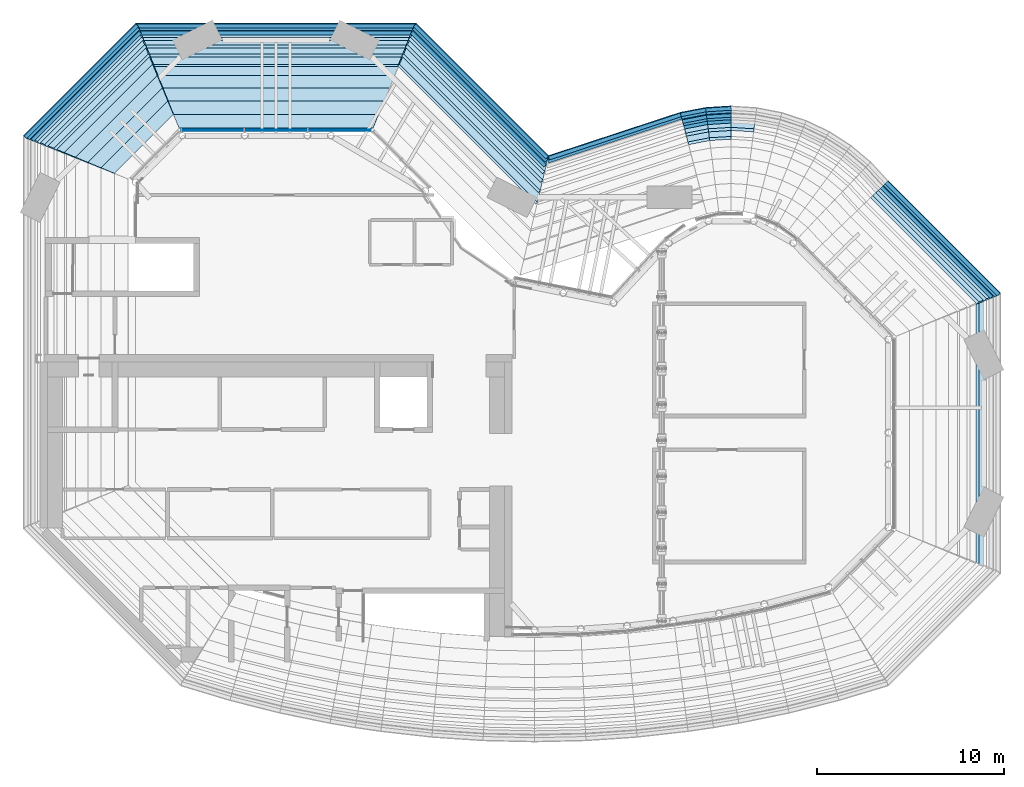
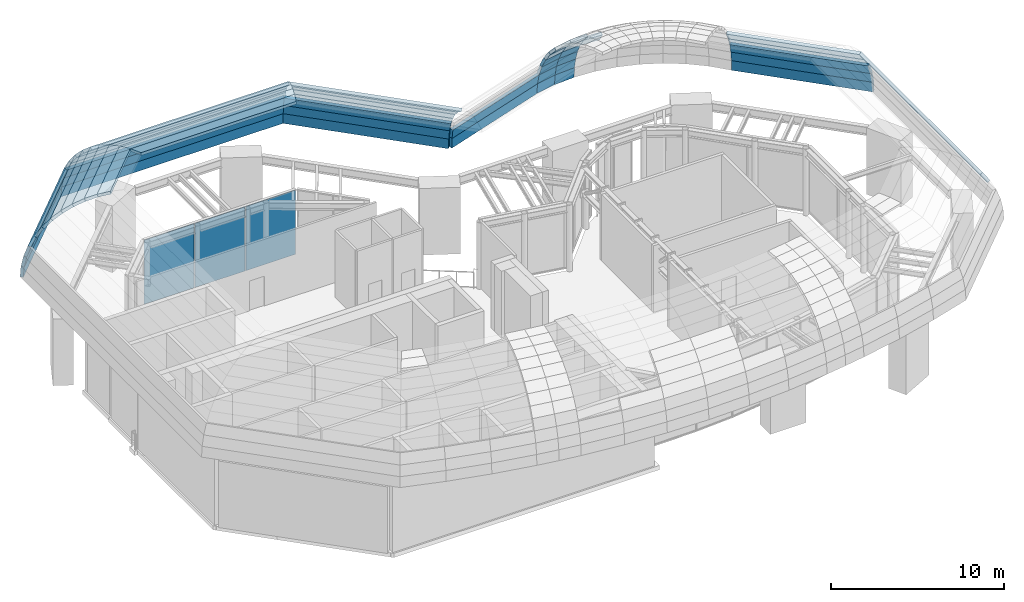
# One storey, part 15 of 20: 54 plates, 1 element without a shape of its own.
"""IFC4 building model written with IfcOpenShell, lengths in metres."""

import ifcopenshell
import ifcopenshell.guid

model = None  # the IFC model being written
_history = None  # IfcOwnerHistory: only IFC2X3 demands one
_inside = {}  # id of a spatial element -> (the spatial element, [elements in it])
_under = {}  # id of a project, library or spatial element -> (it, [spatial elements below it])
_declared = {}  # id of a project -> (the project, [libraries it declares])
_typed = {}  # id of a type object -> (the type object, [elements of that type])
_made_of = {}  # id of a material, layer set ... -> (it, [elements and type objects made of it])


def new_model(schema):
    """Start an empty IFC model of exactly this schema.

    Asked for "IFC4X3", IfcOpenShell would pick the latest addendum, in which some entities
    have other attributes; the version numbers below select the first issue.
    IFC2X3 requires an IfcOwnerHistory on every rooted entity: one is made here for all.
    """
    global model, _history
    if schema == "IFC4X3":
        model = ifcopenshell.file(schema_version=(4, 3, 0, 0))
    else:
        model = ifcopenshell.file(schema=schema)
    _inside.clear()
    _under.clear()
    _declared.clear()
    _typed.clear()
    _made_of.clear()
    _history = None
    if model.schema == "IFC2X3":
        org = make("IfcOrganization", Name="unknown")
        user = make(
            "IfcPersonAndOrganization",
            ThePerson=make("IfcPerson", FamilyName="unknown"),
            TheOrganization=org,
        )
        app = make(
            "IfcApplication",
            ApplicationDeveloper=org,
            Version="unknown",
            ApplicationFullName="unknown",
            ApplicationIdentifier="unknown",
        )
        _history = make(
            "IfcOwnerHistory",
            OwningUser=user,
            OwningApplication=app,
            ChangeAction="ADDED",
            CreationDate=0,
        )
    return model


def make(cls, **values):
    """One entity of the class cls with the attributes given. An attribute that is None is left unset."""
    return model.create_entity(
        cls, **{name: value for name, value in values.items() if value is not None}
    )


def rooted(cls, **values):
    """An entity with a GlobalId (a new one), such as an element, a storey or a relation."""
    return make(cls, GlobalId=ifcopenshell.guid.new(), OwnerHistory=_history, **values)


def si_unit(unit_type, name, prefix=None):
    """IfcSIUnit, for example si_unit("LENGTHUNIT", "METRE", prefix="MILLI")."""
    return make("IfcSIUnit", UnitType=unit_type, Prefix=prefix, Name=name)


def assignment(units):
    """IfcUnitAssignment: the units of a project."""
    return None if units is None else make("IfcUnitAssignment", Units=units)


def point(xyz):
    """IfcCartesianPoint."""
    return None if xyz is None else make("IfcCartesianPoint", Coordinates=xyz)


def direction(xyz):
    """IfcDirection."""
    return None if xyz is None else make("IfcDirection", DirectionRatios=xyz)


def frame(location, z_axis=None, x_axis=None):
    """IfcAxis2Placement3D, a coordinate frame: its origin and axes. An axis left out is left unset."""
    return make(
        "IfcAxis2Placement3D",
        Location=point(location),
        Axis=direction(z_axis),
        RefDirection=direction(x_axis),
    )


def frame_2d(location, x_axis=None):
    """IfcAxis2Placement2D, a coordinate frame in the plane: its origin and x axis."""
    return make(
        "IfcAxis2Placement2D", Location=point(location), RefDirection=direction(x_axis)
    )


def origin():
    """The frame at (0, 0, 0) with its axes left unset."""
    return frame((0.0, 0.0, 0.0))


def origin_2d():
    """The frame at (0, 0) in the plane with its x axis left unset."""
    return frame_2d((0.0, 0.0))


def place(relative_to, where):
    """IfcLocalPlacement: puts the frame where relative to a parent placement (None: the world)."""
    return make(
        "IfcLocalPlacement", PlacementRelTo=relative_to, RelativePlacement=where
    )


def context(
    kind, dimensions, precision=None, world=None, true_north=None, identifier=None
):
    """IfcGeometricRepresentationContext, for example the 3D "Model" context."""
    return make(
        "IfcGeometricRepresentationContext",
        ContextIdentifier=identifier,
        ContextType=kind,
        CoordinateSpaceDimension=dimensions,
        Precision=precision,
        WorldCoordinateSystem=world,
        TrueNorth=true_north,
    )


def subcontext(parent, identifier, kind, view, scale=None):
    """IfcGeometricRepresentationSubContext, for example "Body" below "Model"."""
    return make(
        "IfcGeometricRepresentationSubContext",
        ContextIdentifier=identifier,
        ContextType=kind,
        ParentContext=parent,
        TargetScale=scale,
        TargetView=view,
    )


def project(units=None, contexts=None):
    """IfcProject with its units and contexts."""
    return rooted(
        "IfcProject",
        Name="project",
        RepresentationContexts=contexts,
        UnitsInContext=assignment(units),
    )


def spatial(cls, under=None, at=None, **own):
    """A site, building, storey or space (cls), placed at a placement, below another one or the project."""
    s = rooted(cls, ObjectPlacement=at, **own)
    if under is not None:
        _under.setdefault(under.id(), (under, []))[1].append(s)
    return s


def polyline(points):
    """IfcPolyline through the points."""
    return make("IfcPolyline", Points=[point(p) for p in points])


def profile(cls, at=None, kind="AREA", **sizes):
    """A parametric profile (cls). Its sizes go by their IFC names, for example OverallWidth=200.0."""
    return make(cls, ProfileType=kind, Position=at, **sizes)


def rectangle(**sizes):
    """IfcRectangleProfileDef."""
    return profile("IfcRectangleProfileDef", **sizes)


def outline(outer, holes=None, kind="AREA"):
    """IfcArbitraryClosedProfileDef: a profile drawn as a closed curve; with holes, ...WithVoids."""
    if holes is None:
        return make("IfcArbitraryClosedProfileDef", ProfileType=kind, OuterCurve=outer)
    return make(
        "IfcArbitraryProfileDefWithVoids",
        ProfileType=kind,
        OuterCurve=outer,
        InnerCurves=holes,
    )


def extrude(swept, where, along, depth):
    """IfcExtrudedAreaSolid: the profile swept, set in the frame where, extruded along a direction by depth."""
    return make(
        "IfcExtrudedAreaSolid",
        SweptArea=swept,
        Position=where,
        ExtrudedDirection=direction(along),
        Depth=depth,
    )


def shape(context_of_items, identifier, shape_type, items):
    """IfcShapeRepresentation: the items that make up one representation, for example the "Body"."""
    return make(
        "IfcShapeRepresentation",
        ContextOfItems=context_of_items,
        RepresentationIdentifier=identifier,
        RepresentationType=shape_type,
        Items=items,
    )


def material(Name=None, Category=None):
    """IfcMaterial."""
    return make("IfcMaterial", Name=Name, Category=Category)


def layer(
    of_material, thickness, ventilated=None, Name=None, Category=None, Priority=None
):
    """IfcMaterialLayer: one layer of a wall or slab, of a material (None: an air gap)."""
    return make(
        "IfcMaterialLayer",
        Material=of_material,
        LayerThickness=thickness,
        IsVentilated=ventilated,
        Name=Name,
        Category=Category,
        Priority=Priority,
    )


def layer_set(layers, Name=None):
    """IfcMaterialLayerSet."""
    return make("IfcMaterialLayerSet", MaterialLayers=layers, LayerSetName=Name)


def made_of(thing, what):
    """Note that an element or type object is made of a material, layer set ...; save() writes the relation."""
    if what is not None:
        _made_of.setdefault(what.id(), (what, []))[1].append(thing)
    return thing


def type_object(cls, material=None, **own):
    """A type object (cls), such as IfcWallType, which elements share."""
    return made_of(rooted(cls, **own), material)


def element(
    cls,
    number,
    at=None,
    inside=None,
    cuts=None,
    type_object=None,
    material=None,
    context=None,
    identifier="Body",
    shape_type=None,
    held_by="IfcProductDefinitionShape",
    body=None,
    shapes=None,
    **own,
):
    """One element of the class cls, such as IfcWall. Its Tag is "e" and its number.

    at: its placement. inside: the storey or other place that contains it. cuts: it is an
    opening in that element (IfcRelVoidsElement). A single representation is given by context,
    identifier, shape_type and body (its items); several are given by shapes. held_by: the class
    of the entity that holds the representations. save() writes the other relations.
    """
    e = rooted(cls, Tag="e%d" % number, ObjectPlacement=at, **own)
    if body is not None:
        shapes = [shape(context, identifier, shape_type, body)]
    if shapes is not None:
        e.Representation = make(held_by, Representations=shapes)
    if inside is not None:
        _inside.setdefault(inside.id(), (inside, []))[1].append(e)
    if cuts is not None:
        rooted(
            "IfcRelVoidsElement", RelatingBuildingElement=cuts, RelatedOpeningElement=e
        )
    if type_object is not None:
        _typed.setdefault(type_object.id(), (type_object, []))[1].append(e)
    return made_of(e, material)


def aggregate(whole, parts):
    """IfcRelAggregates: a whole, such as a stair, and the parts it consists of."""
    return rooted("IfcRelAggregates", RelatingObject=whole, RelatedObjects=parts)


def save(model, path):
    """Write the relations noted so far, then the file.

    IfcRelAggregates (storeys below a building ...), IfcRelContainedInSpatialStructure (elements
    in a storey), IfcRelDefinesByType, IfcRelAssociatesMaterial and IfcRelDeclares: one each for
    every whole, place, type object, material and project.
    """
    for whole, parts in _under.values():
        aggregate(whole, parts)
    for where, things in _inside.values():
        rooted(
            "IfcRelContainedInSpatialStructure",
            RelatedElements=things,
            RelatingStructure=where,
        )
    for kind, things in _typed.values():
        rooted("IfcRelDefinesByType", RelatedObjects=things, RelatingType=kind)
    for what, things in _made_of.values():
        rooted("IfcRelAssociatesMaterial", RelatedObjects=things, RelatingMaterial=what)
    for by, libraries in _declared.values():
        rooted("IfcRelDeclares", RelatingContext=by, RelatedDefinitions=libraries)
    model.write(path)


model = new_model("IFC4")

# Units and contexts
model_context = context("Model", 3, precision=1e-05, world=origin(), true_north=direction((0.0, 1.0)))
body_context = subcontext(model_context, "Body", "Model", "MODEL_VIEW")
ifc_project = project(units=[si_unit("LENGTHUNIT", "METRE"), si_unit("AREAUNIT", "SQUARE_METRE"), si_unit("VOLUMEUNIT", "CUBIC_METRE"), si_unit("PLANEANGLEUNIT", "RADIAN"), si_unit("MASSUNIT", "GRAM", prefix="KILO")], contexts=[model_context])

# Site, building, storey
site_placement = place(None, origin())
site = spatial("IfcSite", under=ifc_project, at=site_placement, CompositionType="ELEMENT")
building_placement = place(site_placement, origin())
building = spatial("IfcBuilding", under=site, at=building_placement, Name="Brevane Broadcast Tower", CompositionType="ELEMENT")
storey_placement = place(building_placement, frame((0.0, 0.0, 264.199951171875)))
storey = spatial("IfcBuildingStorey", under=building, at=storey_placement, Name="L66", CompositionType="ELEMENT", Elevation=264.199951171875)

# Curtain wall, plates
ifc_material_1 = material(Name="Aluminium 6063-T6 bronze anodised", Category="aluminium")
curtain_wall_type = type_object("IfcCurtainWallType", Name="CW-5 curtain wall", PredefinedType="NOTDEFINED", material=ifc_material_1)
curtain_wall_placement = place(storey_placement, origin())
curtain_wall = element("IfcCurtainWall", 1, at=curtain_wall_placement, inside=storey, type_object=curtain_wall_type, Name="CW-5 gallery glazing 17", PredefinedType="NOTDEFINED")
ifc_material_2 = material(Name="Laminated glass bronze-tinted", Category="glass")
ifc_layer_1 = layer(ifc_material_2, 0.0400390625)
ifc_layer_set_1 = layer_set([ifc_layer_1], Name="CW tall glass panel 40")
plate_type_1 = type_object("IfcPlateType", Name="CW tall glass panel 40", PredefinedType="CURTAIN_PANEL", material=ifc_layer_set_1)
plate_1_placement = place(storey_placement, frame((15.992919921875, 28.780029296875, 0.080078125), z_axis=(0.0, 0.0, 1.0), x_axis=(-1.0, 0.0, 0.0)))
plate_1 = element("IfcPlate", 2, at=plate_1_placement, type_object=plate_type_1, Name="Hall glass panel", PredefinedType="CURTAIN_PANEL", context=body_context, shape_type="SweptSolid", body=[
    extrude(rectangle(XDim=3.332763671875, YDim=0.0400390625, at=origin_2d()), origin(), (0.0, 0.0, 1.0), 4.5400390625),
])
plate_2_placement = place(storey_placement, frame((12.60009765625, 28.780029296875, 0.080078125), z_axis=(0.0, 0.0, 1.0), x_axis=(-1.0, 0.0, 0.0)))
plate_2 = element("IfcPlate", 3, at=plate_2_placement, type_object=plate_type_1, Name="Hall glass panel", PredefinedType="CURTAIN_PANEL", context=body_context, shape_type="SweptSolid", body=[
    extrude(rectangle(XDim=3.332763671875, YDim=0.0400390625, at=origin_2d()), origin(), (0.0, 0.0, 1.0), 4.5400390625),
])
plate_3_placement = place(storey_placement, frame((9.20703125, 28.780029296875, 0.080078125), z_axis=(0.0, 0.0, 1.0), x_axis=(-1.0, 0.0, 0.0)))
plate_3 = element("IfcPlate", 4, at=plate_3_placement, type_object=plate_type_1, Name="Hall glass panel", PredefinedType="CURTAIN_PANEL", context=body_context, shape_type="SweptSolid", body=[
    extrude(rectangle(XDim=3.332763671875, YDim=0.0400390625, at=origin_2d()), origin(), (0.0, 0.0, 1.0), 4.5400390625),
])
aggregate(curtain_wall, [plate_1, plate_2, plate_3])

# Plates
ifc_material_3 = material(Name="Aluminium bronze anodised", Category="aluminium")
ifc_layer_2 = layer(ifc_material_3, 0.199951171875)
ifc_layer_set_2 = layer_set([ifc_layer_2], Name="Canopy shoulder plate 200")
plate_type_2 = type_object("IfcPlateType", Name="Canopy shoulder plate 200", PredefinedType="SHEET", material=ifc_layer_set_2)
plate_4_placement = place(storey_placement, frame((50.5498046875, 5.410888671875, 7.949951171875), z_axis=(0.831485884333, 0.0, 0.555545879432), x_axis=(0.0, 1.0, 0.0)))
element("IfcPlate", 5, at=plate_4_placement, inside=storey, type_object=plate_type_2, Name="Canopy shoulder", PredefinedType="SHEET", context=body_context, shape_type="SweptSolid", body=[
    extrude(outline(polyline([(0.0, 0.0), (14.37841796875, 0.0), (14.209716796875, 0.7325811187562553), (0.16845703125, 0.7325811187562553), (0.0, 0.0)])), origin(), (0.0, 0.0, -1.0), 0.199951171875),
])
plate_5_placement = place(storey_placement, frame((51.300048828125, 20.10009765625, 5.150146484375), z_axis=(0.705587599677, 0.705587599677, 0.065515481867), x_axis=(-0.707106781187, 0.707106781187, 0.0)))
element("IfcPlate", 6, at=plate_5_placement, inside=storey, type_object=plate_type_2, Name="Canopy shoulder", PredefinedType="SHEET", context=body_context, shape_type="SweptSolid", body=[
    extrude(outline(polyline([(0.0, 0.0), (8.485281374238571, 0.0), (8.486317175187574, 0.7325308349941484), (0.019680218031070902, 0.7325308349941483), (0.0, 0.0)])), origin(), (0.0, 0.0, -1.0), 0.199951171875),
])
plate_6_placement = place(storey_placement, frame((51.252197265625, 20.080078125, 5.881103515625), z_axis=(0.693507099673, 0.693507099673, 0.195181467889), x_axis=(-0.707106781187, 0.707106781187, 0.0)))
element("IfcPlate", 7, at=plate_6_placement, inside=storey, type_object=plate_type_2, Name="Canopy shoulder", PredefinedType="SHEET", context=body_context, shape_type="SweptSolid", body=[
    extrude(outline(polyline([(0.0, 0.0), (8.466636957156505, 0.0), (8.469399093020513, 0.7323468386041889), (0.05938592107621396, 0.7323468386041889), (0.0, 0.0)])), origin(), (0.0, 0.0, -1.0), 0.199951171875),
])
plate_7_placement = place(storey_placement, frame((51.109130859375, 20.02099609375, 6.599365234375), z_axis=(0.669605365394, 0.669591544279, 0.321365552706), x_axis=(-0.707100237164, 0.707113325141, 3.140707e-06)))
element("IfcPlate", 8, at=plate_7_placement, inside=storey, type_object=plate_type_2, Name="Canopy shoulder", PredefinedType="SHEET", context=body_context, shape_type="SweptSolid", body=[
    extrude(outline(polyline([(0.0, 0.0), (8.410013171542673, 2.220446049250313e-16), (8.414674276616665, 0.732428604564541), (0.09736528840774669, 0.7324840830219551), (0.0, 0.0)])), origin(), (0.0, 0.0, -1.0), 0.199951171875),
])
plate_8_placement = place(storey_placement, frame((50.873779296875, 19.92333984375, 7.29296875), z_axis=(0.634167494183, 0.634167494183, 0.442338307908), x_axis=(-0.707103909475, 0.707109652839, -8.234093e-06)))
element("IfcPlate", 9, at=plate_8_placement, inside=storey, type_object=plate_type_2, Name="Canopy shoulder", PredefinedType="SHEET", context=body_context, shape_type="SweptSolid", body=[
    extrude(outline(polyline([(0.0, 0.0), (8.317308987359013, 2.220446049250313e-16), (8.323862333726757, 0.7326222088351899), (0.1343021314750066, 0.732470656902061), (0.0, 0.0)])), origin(), (0.0, 0.0, -1.0), 0.199951171875),
])
plate_9_placement = place(storey_placement, frame((50.5498046875, 19.789306640625, 7.949951171875), z_axis=(0.587943006966, 0.587955523315, 0.555545968542), x_axis=(-0.707116585029, 0.707096977192, 4.820516e-06)))
element("IfcPlate", 10, at=plate_9_placement, inside=storey, type_object=plate_type_2, Name="Canopy shoulder", PredefinedType="SHEET", context=body_context, shape_type="SweptSolid", body=[
    extrude(outline(polyline([(0.0, 0.0), (8.189560204809233, -4.440892098500626e-16), (8.197682556795458, 0.7325336453897265), (0.1684988679665595, 0.7326276731017078), (0.0, 0.0)])), origin(), (0.0, 0.0, -1.0), 0.199951171875),
])
plate_10_placement = place(storey_placement, frame((38.175048828125, 29.26708984375, 7.949951171875), z_axis=(0.052786602283, 0.82982809181, 0.555516797823), x_axis=(-0.997983815325, 0.063468920681, 2.1388024e-05)))
element("IfcPlate", 11, at=plate_10_placement, inside=storey, type_object=plate_type_2, Name="Canopy shoulder", PredefinedType="SHEET", context=body_context, shape_type="SweptSolid", body=[
    extrude(outline(polyline([(0.0, 0.0), (1.2777200071062627, -1.3877787807814457e-17), (1.2518558141332692, 0.7325318005102934), (0.025990705664140145, 0.732596197860514), (0.0, 0.0)])), origin(), (0.0, 0.0, -1.0), 0.199951171875),
])
plate_11_placement = place(storey_placement, frame((36.89990234375, 30.10009765625, 5.150146484375), z_axis=(-0.063312930897, 0.995844821788, 0.065456578726), x_axis=(-0.99798507219, -0.063449158234, 2.379634e-06)))
element("IfcPlate", 12, at=plate_11_placement, inside=storey, type_object=plate_type_2, Name="Canopy shoulder", PredefinedType="SHEET", context=body_context, shape_type="SweptSolid", body=[
    extrude(outline(polyline([(0.0, 0.0), (1.3728866148971794, 8.673617379884035e-19), (1.3698177876690756, 0.7325247305468763), (0.0030533712878173893, 0.7325312639236824), (0.0, 0.0)])), origin(), (0.0, 0.0, -1.0), 0.199951171875),
])
plate_12_placement = place(storey_placement, frame((36.89990234375, 30.052001953125, 5.881103515625), z_axis=(-0.062165953975, 0.978783105131, 0.195240946719), x_axis=(-0.997989034068, -0.063386811363, 5.120295e-06)))
element("IfcPlate", 13, at=plate_12_placement, inside=storey, type_object=plate_type_2, Name="Canopy shoulder", PredefinedType="SHEET", context=body_context, shape_type="SweptSolid", body=[
    extrude(outline(polyline([(0.0, 0.0), (1.3667644168381539, 3.469446951953614e-18), (1.3577446413502001, 0.7323485903029653), (0.00908767631326951, 0.7323627668865621), (0.0, 0.0)])), origin(), (0.0, 0.0, -1.0), 0.199951171875),
])
plate_13_placement = place(storey_placement, frame((36.89990234375, 29.90869140625, 6.599365234375), z_axis=(-0.060065660631, 0.945015725631, 0.321461342502), x_axis=(-0.997986616088, -0.063424865816, -2.2490432e-05)))
element("IfcPlate", 14, at=plate_13_placement, inside=storey, type_object=plate_type_2, Name="Canopy shoulder", PredefinedType="SHEET", context=body_context, shape_type="SweptSolid", body=[
    extrude(outline(polyline([(0.0, 0.0), (1.3486569622870388, -6.938893903907228e-18), (1.333522244811531, 0.7325133352326647), (0.014942511000935826, 0.7324499854933947), (0.0, 0.0)])), origin(), (0.0, 0.0, -1.0), 0.199951171875),
])
plate_14_placement = place(storey_placement, frame((36.89990234375, 29.6728515625, 7.29296875), z_axis=(-0.056931647517, 0.895049842146, 0.442317270277), x_axis=(-0.997982817147, -0.063484616609, 1.1507806e-05)))
element("IfcPlate", 15, at=plate_14_placement, inside=storey, type_object=plate_type_2, Name="Canopy shoulder", PredefinedType="SHEET", context=body_context, shape_type="SweptSolid", body=[
    extrude(outline(polyline([(0.0, 0.0), (1.3185797382621318, 0.0), (1.2980978201792828, 0.732520655272418), (0.020621461815459565, 0.732553965883503), (0.0, 0.0)])), origin(), (0.0, 0.0, -1.0), 0.199951171875),
])
plate_15_placement = place(storey_placement, frame((36.89990234375, 29.34814453125, 7.949951171875), z_axis=(-0.052796878612, 0.829827437725, 0.555516798312), x_axis=(-0.997983034361, -0.063481199296, -2.15082e-05)))
element("IfcPlate", 16, at=plate_15_placement, inside=storey, type_object=plate_type_2, Name="Canopy shoulder", PredefinedType="SHEET", context=body_context, shape_type="SweptSolid", body=[
    extrude(outline(polyline([(0.0, 0.0), (1.277476358301245, -1.3877787807814457e-17), (1.2514905870584843, 0.7325963728869953), (0.025869125943636117, 0.732531626302626), (0.0, 0.0)])), origin(), (0.0, 0.0, -1.0), 0.199951171875),
])
plate_16_placement = place(storey_placement, frame((36.89990234375, 28.9404296875, 8.55908203125), z_axis=(-0.047778471139, 0.750398528223, 0.659256601436), x_axis=(-0.997979106023, -0.063542929908, 9.17955e-07)))
element("IfcPlate", 17, at=plate_16_placement, inside=storey, type_object=plate_type_2, Name="Canopy shoulder", PredefinedType="SHEET", context=body_context, shape_type="SweptSolid", body=[
    extrude(outline(polyline([(0.0, 0.0), (1.2256214638218679, 6.938893903907228e-18), (1.1949658767844458, 0.7325002545658297), (0.030748085445543222, 0.7325031721246845), (0.0, 0.0)])), origin(), (0.0, 0.0, -1.0), 0.199951171875),
])
plate_17_placement = place(storey_placement, frame((35.52978515625, 30.012939453125, 5.150146484375), z_axis=(-0.188938571364, 0.979813203028, 0.065332254083), x_axis=(-0.981910964691, -0.189343226485, 2.117465e-06)))
element("IfcPlate", 18, at=plate_17_placement, inside=storey, type_object=plate_type_2, Name="Canopy shoulder", PredefinedType="SHEET", context=body_context, shape_type="SweptSolid", body=[
    extrude(outline(polyline([(0.0, 0.0), (1.3729889851631878, 0.0), (1.3700270504590704, 0.7325191089145112), (0.0030225817228850494, 0.7325249231759292), (0.0, 0.0)])), origin(), (0.0, 0.0, -1.0), 0.199951171875),
])
plate_18_placement = place(storey_placement, frame((35.535888671875, 29.96533203125, 5.881103515625), z_axis=(-0.185691176268, 0.963019481102, 0.195223630931), x_axis=(-0.981912874889, -0.189333320117, -4.51296e-06)))
element("IfcPlate", 19, at=plate_18_placement, inside=storey, type_object=plate_type_2, Name="Canopy shoulder", PredefinedType="SHEET", context=body_context, shape_type="SweptSolid", body=[
    extrude(outline(polyline([(0.0, 0.0), (1.3670044691075816, -6.938893903907228e-18), (1.3577771603222877, 0.7323593526752055), (0.00915946348605282, 0.7323468567444162), (0.0, 0.0)])), origin(), (0.0, 0.0, -1.0), 0.199951171875),
])
plate_19_placement = place(storey_placement, frame((35.553955078125, 29.8232421875, 6.599365234375), z_axis=(-0.179234247888, 0.9297993285, 0.321478293366), x_axis=(-0.981921277127, -0.189289738161, 2.3484769e-05)))
element("IfcPlate", 20, at=plate_19_placement, inside=storey, type_object=plate_type_2, Name="Canopy shoulder", PredefinedType="SHEET", context=body_context, shape_type="SweptSolid", body=[
    extrude(outline(polyline([(0.0, 0.0), (1.3486176936658085, 1.3877787807814457e-17), (1.333589801836376, 0.7324530393796458), (0.014848452645945013, 0.7325191933442524), (0.0, 0.0)])), origin(), (0.0, 0.0, -1.0), 0.199951171875),
])
plate_20_placement = place(storey_placement, frame((35.583984375, 29.589111328125, 7.29296875), z_axis=(-0.169693619976, 0.880686272263, 0.442262100102), x_axis=(-0.981937918387, -0.189203394352, 5.24821e-07)))
element("IfcPlate", 21, at=plate_20_placement, inside=storey, type_object=plate_type_2, Name="Canopy shoulder", PredefinedType="SHEET", context=body_context, shape_type="SweptSolid", body=[
    extrude(outline(polyline([(0.0, 0.0), (1.3187413545288726, 0.0), (1.2981209727133771, 0.7325143303162109), (0.020653105262492453, 0.7325158495121638), (0.0, 0.0)])), origin(), (0.0, 0.0, -1.0), 0.199951171875),
])
plate_21_placement = place(storey_placement, frame((35.625, 29.26708984375, 7.949951171875), z_axis=(-0.157305976248, 0.81645045095, 0.555574919323), x_axis=(-0.981939664053, -0.189194334305, 5.079585e-06)))
element("IfcPlate", 22, at=plate_21_placement, inside=storey, type_object=plate_type_2, Name="Canopy shoulder", PredefinedType="SHEET", context=body_context, shape_type="SweptSolid", body=[
    extrude(outline(polyline([(0.0, 0.0), (1.2774678673993527, -2.7755575615628914e-17), (1.2517127875401468, 0.7325905675426675), (0.025716913263653322, 0.7326058616721474), (0.0, 0.0)])), origin(), (0.0, 0.0, -1.0), 0.199951171875),
])
plate_22_placement = place(storey_placement, frame((35.6767578125, 28.862548828125, 8.55908203125), z_axis=(-0.142282174123, 0.738285539229, 0.659310431809), x_axis=(-0.981936180843, -0.189212409478, -2.9165169e-05)))
element("IfcPlate", 23, at=plate_22_placement, inside=storey, type_object=plate_type_2, Name="Canopy shoulder", PredefinedType="SHEET", context=body_context, shape_type="SweptSolid", body=[
    extrude(outline(polyline([(0.0, 0.0), (1.2259958732280034, 0.0), (1.1952411366817202, 0.7325940616616389), (0.030629838627968847, 0.7325013296936286), (0.0, 0.0)])), origin(), (0.0, 0.0, -1.0), 0.199951171875),
])
plate_23_placement = place(storey_placement, frame((34.181640625, 29.7529296875, 5.150146484375), z_axis=(-0.311465125867, 0.94800882377, 0.065335636696), x_axis=(-0.950038739313, -0.312132013423, -4.99153e-07)))
element("IfcPlate", 24, at=plate_23_placement, inside=storey, type_object=plate_type_2, Name="Canopy shoulder", PredefinedType="SHEET", context=body_context, shape_type="SweptSolid", body=[
    extrude(outline(polyline([(0.0, 0.0), (7.395598892972589, -2.7755575615628914e-17), (7.424961229331437, 0.7325258928177288), (0.0031132055321029394, 0.732518480805262), (0.0, 0.0)])), origin(), (0.0, 0.0, -1.0), 0.199951171875),
])
plate_24_placement = place(storey_placement, frame((34.193603515625, 29.70654296875, 5.881103515625), z_axis=(-0.306128341253, 0.931750761389, 0.195258693362), x_axis=(-0.950037257639, -0.312136523172, 5.80326e-07)))
element("IfcPlate", 25, at=plate_24_placement, inside=storey, type_object=plate_type_2, Name="Canopy shoulder", PredefinedType="SHEET", context=body_context, shape_type="SweptSolid", body=[
    extrude(outline(polyline([(0.0, 0.0), (7.421848023985322, 0.0), (7.509940553902942, 0.7323538732296118), (0.008957455651724407, 0.7323627032956795), (0.0, 0.0)])), origin(), (0.0, 0.0, -1.0), 0.199951171875),
])
plate_25_placement = place(storey_placement, frame((27.155517578125, 27.444580078125, 5.150146484375), z_axis=(0.705586927551, 0.705599129448, 0.065398441815), x_axis=(-0.707112869048, 0.707100693272, -5.64261e-07)))
element("IfcPlate", 26, at=plate_25_placement, inside=storey, type_object=plate_type_2, Name="Canopy shoulder", PredefinedType="SHEET", context=body_context, shape_type="SweptSolid", body=[
    extrude(outline(polyline([(0.0, 0.0), (9.977870541381556, -5.551115123125783e-17), (9.958190324092536, 0.7325308299553184), (-0.029520327790489277, 0.7325195399939688), (0.0, 0.0)])), origin(), (0.0, 0.0, -1.0), 0.199951171875),
])
plate_26_placement = place(storey_placement, frame((27.142578125, 27.389892578125, 5.881103515625), z_axis=(0.693485039124, 0.693497008764, 0.195295671605), x_axis=(-0.70711311689, 0.707100445424, 1.65766e-06)))
element("IfcPlate", 27, at=plate_26_placement, inside=storey, type_object=plate_type_2, Name="Canopy shoulder", PredefinedType="SHEET", context=body_context, shape_type="SweptSolid", body=[
    extrude(outline(polyline([(0.0, 0.0), (9.987710651900649, -2.220446049250313e-16), (9.928327202219318, 0.7323470340984038), (-0.08786797423094028, 0.732380844824595), (0.0, 0.0)])), origin(), (0.0, 0.0, -1.0), 0.199951171875),
])
plate_27_placement = place(storey_placement, frame((27.103515625, 27.2265625, 6.599365234375), z_axis=(0.669592546873, 0.669604060407, 0.321366182818), x_axis=(-0.707112232562, 0.707101329764, -2.616338e-06)))
element("IfcPlate", 28, at=plate_27_placement, inside=storey, type_object=plate_type_2, Name="Canopy shoulder", PredefinedType="SHEET", context=body_context, shape_type="SweptSolid", body=[
    extrude(outline(polyline([(0.0, 0.0), (10.016195176534145, 2.220446049250313e-16), (9.91882988798845, 0.7324840830758501), (-0.1448395000377025, 0.732428604509658), (0.0, 0.0)])), origin(), (0.0, 0.0, -1.0), 0.199951171875),
])
plate_28_placement = place(storey_placement, frame((27.03955078125, 26.957763671875, 7.29296875), z_axis=(0.634167494183, 0.634167494183, 0.442338307908), x_axis=(-0.707109154522, 0.707104407811, 6.805221e-06)))
element("IfcPlate", 29, at=plate_28_placement, inside=storey, type_object=plate_type_2, Name="Canopy shoulder", PredefinedType="SHEET", context=body_context, shape_type="SweptSolid", body=[
    extrude(outline(polyline([(0.0, 0.0), (10.063669387318473, 4.440892098500626e-16), (9.929366088860672, 0.7324704429290121), (-0.1992134901013003, 0.7326236602759638), (0.0, 0.0)])), origin(), (0.0, 0.0, -1.0), 0.199951171875),
])
plate_29_placement = place(storey_placement, frame((26.951171875, 26.587646484375, 7.949951171875), z_axis=(0.587987331481, 0.587987331481, 0.555465386894), x_axis=(-0.707103062589, 0.707110499721, -7.872569e-06)))
element("IfcPlate", 30, at=plate_29_placement, inside=storey, type_object=plate_type_2, Name="Canopy shoulder", PredefinedType="SHEET", context=body_context, shape_type="SweptSolid", body=[
    extrude(outline(polyline([(0.0, 0.0), (10.128579580286917, 0.0), (9.960082356447575, 0.7326280406192074), (-0.2503254969912639, 0.732435482054944), (0.0, 0.0)])), origin(), (0.0, 0.0, -1.0), 0.199951171875),
])
plate_30_placement = place(storey_placement, frame((26.840576171875, 26.123046875, 8.55908203125), z_axis=(0.531628003779, 0.531628003779, 0.659350689084), x_axis=(-0.707111978707, 0.707101583578, 8.381491e-06)))
element("IfcPlate", 31, at=plate_30_placement, inside=storey, type_object=plate_type_2, Name="Canopy shoulder", PredefinedType="SHEET", context=body_context, shape_type="SweptSolid", body=[
    extrude(outline(polyline([(0.0, 0.0), (10.210407855438755, 4.440892098500626e-16), (10.010333804385835, 0.7324704995728226), (-0.29709407073236643, 0.7326992331788326), (0.0, 0.0)])), origin(), (0.0, 0.0, -1.0), 0.199951171875),
])
plate_31_placement = place(storey_placement, frame((26.708984375, 25.5712890625, 9.10986328125), z_axis=(0.466168946667, 0.466161180808, 0.751917725999), x_axis=(-0.707097525504, 0.707116036736, -4.173327e-06)))
element("IfcPlate", 32, at=plate_31_placement, inside=storey, type_object=plate_type_2, Name="Canopy shoulder", PredefinedType="SHEET", context=body_context, shape_type="SweptSolid", body=[
    extrude(outline(polyline([(0.0, 0.0), (10.307427878314545, 0.0), (10.0793698101087, 0.7325705353023044), (-0.33871613398763023, 0.7324393355519887), (0.0, 0.0)])), origin(), (0.0, 0.0, -1.0), 0.199951171875),
])
plate_32_placement = place(storey_placement, frame((20.10009765625, 34.5, 5.150146484375), z_axis=(0.0, 0.997864077995, 0.0653244353), x_axis=(-1.0, 0.0, 0.0)))
element("IfcPlate", 33, at=plate_32_placement, inside=storey, type_object=plate_type_2, Name="Canopy shoulder", PredefinedType="SHEET", context=body_context, shape_type="SweptSolid", body=[
    extrude(outline(polyline([(0.0, 0.0), (15.0, 0.0), (14.980224609375, 0.7325216403407512), (0.02001953125, 0.7325216403407512), (0.0, 0.0)])), origin(), (0.0, 0.0, -1.0), 0.199951171875),
])
plate_33_placement = place(storey_placement, frame((20.080078125, 34.4521484375, 5.881103515625), z_axis=(0.0, 0.980734230685, 0.19534679102), x_axis=(-1.0, 0.0, 0.0)))
element("IfcPlate", 34, at=plate_33_placement, inside=storey, type_object=plate_type_2, Name="Canopy shoulder", PredefinedType="SHEET", context=body_context, shape_type="SweptSolid", body=[
    extrude(outline(polyline([(0.0, 0.0), (14.960205078125, 0.0), (14.901123046875, 0.7323714175327941), (0.05908203125, 0.7323714175327941), (0.0, 0.0)])), origin(), (0.0, 0.0, -1.0), 0.199951171875),
])
plate_34_placement = place(storey_placement, frame((20.02099609375, 34.30908203125, 6.599365234375), z_axis=(0.0, 0.946969644848, 0.32132303331), x_axis=(-1.0, 0.0, 0.0)))
element("IfcPlate", 35, at=plate_34_placement, inside=storey, type_object=plate_type_2, Name="Canopy shoulder", PredefinedType="SHEET", context=body_context, shape_type="SweptSolid", body=[
    extrude(outline(polyline([(0.0, 0.0), (14.842041015625, 0.0), (14.744384765625, 0.7324453528138131), (0.09765625, 0.7324453528138131), (0.0, 0.0)])), origin(), (0.0, 0.0, -1.0), 0.199951171875),
])
plate_35_placement = place(storey_placement, frame((19.92333984375, 34.07373046875, 7.29296875), z_axis=(0.0, 0.896879925781, 0.442274121706), x_axis=(-1.0, 0.0, 0.0)))
element("IfcPlate", 36, at=plate_35_placement, inside=storey, type_object=plate_type_2, Name="Canopy shoulder", PredefinedType="SHEET", context=body_context, shape_type="SweptSolid", body=[
    extrude(outline(polyline([(0.0, 0.0), (14.646728515625, 0.0), (14.512451171875, 0.7325199315871372), (0.134033203125, 0.7325199315871372), (0.0, 0.0)])), origin(), (0.0, 0.0, -1.0), 0.199951171875),
])
plate_36_placement = place(storey_placement, frame((19.789306640625, 33.749755859375, 7.949951171875), z_axis=(0.0, 0.831485884333, 0.555545879432), x_axis=(-1.0, 0.0, 0.0)))
element("IfcPlate", 37, at=plate_36_placement, inside=storey, type_object=plate_type_2, Name="Canopy shoulder", PredefinedType="SHEET", context=body_context, shape_type="SweptSolid", body=[
    extrude(outline(polyline([(0.0, 0.0), (14.37841796875, 0.0), (14.2099609375, 0.7325811187562553), (0.168701171875, 0.7325811187562553), (0.0, 0.0)])), origin(), (0.0, 0.0, -1.0), 0.199951171875),
])
plate_37_placement = place(storey_placement, frame((19.62060546875, 33.3427734375, 8.55908203125), z_axis=(0.0, 0.751915623092, 0.659259353934), x_axis=(-1.0, 0.0, 0.0)))
element("IfcPlate", 38, at=plate_37_placement, inside=storey, type_object=plate_type_2, Name="Canopy shoulder", PredefinedType="SHEET", context=body_context, shape_type="SweptSolid", body=[
    extrude(outline(polyline([(0.0, 0.0), (14.041259765625, 0.0), (13.84130859375, 0.7325040643989369), (0.199951171875, 0.7325040643989369), (0.0, 0.0)])), origin(), (0.0, 0.0, -1.0), 0.199951171875),
])
plate_38_placement = place(storey_placement, frame((19.420654296875, 32.85986328125, 9.10986328125), z_axis=(0.0, 0.659259353934, 0.751915623092), x_axis=(-1.0, 0.0, 0.0)))
element("IfcPlate", 39, at=plate_38_placement, inside=storey, type_object=plate_type_2, Name="Canopy shoulder", PredefinedType="SHEET", context=body_context, shape_type="SweptSolid", body=[
    extrude(outline(polyline([(0.0, 0.0), (13.641357421875, 0.0), (13.4130859375, 0.732504064398937), (0.228271484375, 0.732504064398937), (0.0, 0.0)])), origin(), (0.0, 0.0, -1.0), 0.199951171875),
])
plate_39_placement = place(storey_placement, frame((19.1923828125, 32.30908203125, 9.5927734375), z_axis=(0.0, 0.555545879432, 0.831485884333), x_axis=(-1.0, 0.0, 0.0)))
element("IfcPlate", 40, at=plate_39_placement, inside=storey, type_object=plate_type_2, Name="Canopy shoulder", PredefinedType="SHEET", context=body_context, shape_type="SweptSolid", body=[
    extrude(outline(polyline([(0.0, 0.0), (13.184814453125, 0.0), (12.9326171875, 0.7325811187562551), (0.252197265625, 0.7325811187562551), (0.0, 0.0)])), origin(), (0.0, 0.0, -1.0), 0.199951171875),
])
plate_40_placement = place(storey_placement, frame((18.940185546875, 31.699951171875, 9.999755859375), z_axis=(0.0, 0.442274121706, 0.896879925781), x_axis=(-1.0, 0.0, 0.0)))
element("IfcPlate", 41, at=plate_40_placement, inside=storey, type_object=plate_type_2, Name="Canopy shoulder", PredefinedType="SHEET", context=body_context, shape_type="SweptSolid", body=[
    extrude(outline(polyline([(0.0, 0.0), (12.680419921875, 0.0), (12.408203125, 0.7325199315871374), (0.272216796875, 0.7325199315871374), (0.0, 0.0)])), origin(), (0.0, 0.0, -1.0), 0.199951171875),
])
plate_41_placement = place(storey_placement, frame((18.66796875, 31.04296875, 10.32373046875), z_axis=(0.0, 0.321621892869, 0.946868184082), x_axis=(-1.0, 0.0, 0.0)))
element("IfcPlate", 42, at=plate_41_placement, inside=storey, type_object=plate_type_2, Name="Canopy shoulder", PredefinedType="SHEET", context=body_context, shape_type="SweptSolid", body=[
    extrude(outline(polyline([(0.0, 0.0), (12.135986328125, 0.0), (11.8486328125, 0.7325238373038263), (0.287109375, 0.7325238373038263), (0.0, 0.0)])), origin(), (0.0, 0.0, -1.0), 0.199951171875),
])
plate_42_placement = place(storey_placement, frame((18.380859375, 30.349365234375, 10.559326171875), z_axis=(0.0, 0.194962375892, 0.980810721794), x_axis=(-1.0, 0.0, 0.0)))
element("IfcPlate", 43, at=plate_42_placement, inside=storey, type_object=plate_type_2, Name="Canopy shoulder", PredefinedType="SHEET", context=body_context, shape_type="SweptSolid", body=[
    extrude(outline(polyline([(0.0, 0.0), (11.5615234375, 0.0), (11.263916015625, 0.7325632187835159), (0.297607421875, 0.7325632187835159), (0.0, 0.0)])), origin(), (0.0, 0.0, -1.0), 0.199951171875),
])
plate_43_placement = place(storey_placement, frame((18.083251953125, 29.630859375, 10.7021484375), z_axis=(0.0, 0.0653244353, 0.997864077995), x_axis=(-1.0, 0.0, 0.0)))
element("IfcPlate", 44, at=plate_43_placement, inside=storey, type_object=plate_type_2, Name="Canopy shoulder", PredefinedType="SHEET", context=body_context, shape_type="SweptSolid", body=[
    extrude(outline(polyline([(0.0, 0.0), (10.96630859375, 0.0), (10.66357421875, 0.7325216403407512), (0.302734375, 0.7325216403407512), (0.0, 0.0)])), origin(), (0.0, 0.0, -1.0), 0.199951171875),
])
plate_44_placement = place(storey_placement, frame((5.10009765625, 34.5, 5.150146484375), z_axis=(-0.705598474501, 0.705598474501, 0.065280820787), x_axis=(-0.707106781187, -0.707106781187, 0.0)))
element("IfcPlate", 45, at=plate_44_placement, inside=storey, type_object=plate_type_2, Name="Canopy shoulder", PredefinedType="SHEET", context=body_context, shape_type="SweptSolid", body=[
    extrude(outline(polyline([(0.0, 0.0), (8.485281374238571, 0.0), (8.465428522716, 0.7325195450827909), (0.019852851522571525, 0.7325195450827909), (0.0, 0.0)])), origin(), (0.0, 0.0, -1.0), 0.199951171875),
])
plate_45_placement = place(storey_placement, frame((5.119873046875, 34.4521484375, 5.881103515625), z_axis=(-0.693507099673, 0.693507099673, 0.195181467889), x_axis=(-0.707106781187, -0.707106781187, 0.0)))
element("IfcPlate", 46, at=plate_45_placement, inside=storey, type_object=plate_type_2, Name="Canopy shoulder", PredefinedType="SHEET", context=body_context, shape_type="SweptSolid", body=[
    extrude(outline(polyline([(0.0, 0.0), (8.445575671193428, 0.0), (8.386535017100215, 0.7323468386041889), (0.05938592107621396, 0.7323468386041889), (0.0, 0.0)])), origin(), (0.0, 0.0, -1.0), 0.199951171875),
])
plate_46_placement = place(storey_placement, frame((5.178955078125, 34.30908203125, 6.599365234375), z_axis=(-0.669573247672, 0.669573247672, 0.3214705772), x_axis=(-0.707106781187, -0.707106781187, 0.0)))
element("IfcPlate", 47, at=plate_46_placement, inside=storey, type_object=plate_type_2, Name="Canopy shoulder", PredefinedType="SHEET", context=body_context, shape_type="SweptSolid", body=[
    extrude(outline(polyline([(0.0, 0.0), (8.327149096024002, 0.0), (8.22943853983465, 0.7324840875270788), (0.09736528920635079, 0.7324840875270788), (0.0, 0.0)])), origin(), (0.0, 0.0, -1.0), 0.199951171875),
])
plate_47_placement = place(storey_placement, frame((5.276611328125, 34.07373046875, 7.29296875), z_axis=(-0.634167494183, 0.634167494183, 0.442338307908), x_axis=(-0.707106781187, -0.707106781187, 0.0)))
element("IfcPlate", 48, at=plate_47_placement, inside=storey, type_object=plate_type_2, Name="Canopy shoulder", PredefinedType="SHEET", context=body_context, shape_type="SweptSolid", body=[
    extrude(outline(polyline([(0.0, 0.0), (8.132073250628299, 0.0), (7.997937027732315, 0.7325457862305805), (0.13413622289598326, 0.7325457862305804), (0.0, 0.0)])), origin(), (0.0, 0.0, -1.0), 0.199951171875),
])
plate_48_placement = place(storey_placement, frame((5.410888671875, 33.749755859375, 7.949951171875), z_axis=(-0.587987331481, 0.587987331481, 0.555465386894), x_axis=(-0.707106781187, -0.707106781187, 0.0)))
element("IfcPlate", 49, at=plate_48_placement, inside=storey, type_object=plate_type_2, Name="Canopy shoulder", PredefinedType="SHEET", context=body_context, shape_type="SweptSolid", body=[
    extrude(outline(polyline([(0.0, 0.0), (7.863800804836332, 0.0), (7.695137883640224, 0.7325337438980718), (0.16866292119610765, 0.7325337438980717), (0.0, 0.0)])), origin(), (0.0, 0.0, -1.0), 0.199951171875),
])
plate_49_placement = place(storey_placement, frame((5.579345703125, 33.3427734375, 8.55908203125), z_axis=(-0.531675570455, 0.531663042756, 0.659284078944), x_axis=(-0.707102071408, -0.70711149091, -5.840216e-06)))
element("IfcPlate", 50, at=plate_49_placement, inside=storey, type_object=plate_type_2, Name="Canopy shoulder", PredefinedType="SHEET", context=body_context, shape_type="SweptSolid", body=[
    extrude(outline(polyline([(0.0, 0.0), (7.526474962148808, 0.0), (7.326565379573859, 0.7325820922308963), (0.2000822160664565, 0.7324682777184527), (0.0, 0.0)])), origin(), (0.0, 0.0, -1.0), 0.199951171875),
])
plate_50_placement = place(storey_placement, frame((5.779296875, 32.85986328125, 9.10986328125), z_axis=(-0.466169766674, 0.466158100764, 0.751919127122), x_axis=(-0.707093251142, -0.707120310949, 5.805494e-06)))
element("IfcPlate", 51, at=plate_50_placement, inside=storey, type_object=plate_type_2, Name="Canopy shoulder", PredefinedType="SHEET", context=body_context, shape_type="SweptSolid", body=[
    extrude(outline(polyline([(0.0, 0.0), (7.126483164515719, 8.881784197001252e-16), (6.898275029534785, 0.7324477578364551), (0.22806218626719635, 0.7325692534547414), (0.0, 0.0)])), origin(), (0.0, 0.0, -1.0), 0.199951171875),
])
plate_51_placement = place(storey_placement, frame((6.007568359375, 32.30908203125, 9.5927734375), z_axis=(-0.392865886395, 0.392865886395, 0.831452217878), x_axis=(-0.707106781187, -0.707106781187, 0.0)))
element("IfcPlate", 52, at=plate_51_placement, inside=storey, type_object=plate_type_2, Name="Canopy shoulder", PredefinedType="SHEET", context=body_context, shape_type="SweptSolid", body=[
    extrude(outline(polyline([(0.0, 0.0), (6.670212844601031, 0.0), (6.418167947010124, 0.7325146832475429), (0.2523901645739093, 0.7325146832475431), (0.0, 0.0)])), origin(), (0.0, 0.0, -1.0), 0.199951171875),
])
plate_52_placement = place(storey_placement, frame((6.259765625, 31.699951171875, 9.999755859375), z_axis=(-0.312740280122, 0.312749440914, 0.896873070393), x_axis=(-0.707108807026, -0.707104755317, 5.809637e-06)))
element("IfcPlate", 53, at=plate_52_placement, inside=storey, type_object=plate_type_2, Name="Canopy shoulder", PredefinedType="SHEET", context=body_context, shape_type="SweptSolid", body=[
    extrude(outline(polyline([(0.0, 0.0), (6.165777782306856, -4.440892098500626e-16), (5.893534766463381, 0.7324194936300956), (0.27207038235197195, 0.732574323959674), (0.0, 0.0)])), origin(), (0.0, 0.0, -1.0), 0.199951171875),
])
plate_53_placement = place(storey_placement, frame((6.531982421875, 31.04296875, 10.32373046875), z_axis=(-0.227402534551, 0.227417254114, 0.946873528942), x_axis=(-0.707128616841, -0.707084944858, 5.03618e-07)))
element("IfcPlate", 54, at=plate_53_placement, inside=storey, type_object=plate_type_2, Name="Canopy shoulder", PredefinedType="SHEET", context=body_context, shape_type="SweptSolid", body=[
    extrude(outline(polyline([(0.0, 0.0), (5.62146438638472, 8.881784197001252e-16), (5.334180955145527, 0.7325513260426656), (0.2872408282008653, 0.7325680321757916), (0.0, 0.0)])), origin(), (0.0, 0.0, -1.0), 0.199951171875),
])
plate_54_placement = place(storey_placement, frame((6.8193359375, 30.349365234375, 10.559326171875), z_axis=(-0.137855179281, 0.137865201468, 0.98081044844), x_axis=(-0.707131025378, -0.707082536163, 4.09889e-07)))
element("IfcPlate", 55, at=plate_54_placement, inside=storey, type_object=plate_type_2, Name="Canopy shoulder", PredefinedType="SHEET", context=body_context, shape_type="SweptSolid", body=[
    extrude(outline(polyline([(0.0, 0.0), (5.046940126972756, 0.0), (4.749295411074425, 0.7325480667935057), (0.2975955624458802, 0.7325680366202317), (0.0, 0.0)])), origin(), (0.0, 0.0, -1.0), 0.199951171875),
])

save(model, "model.ifc")
